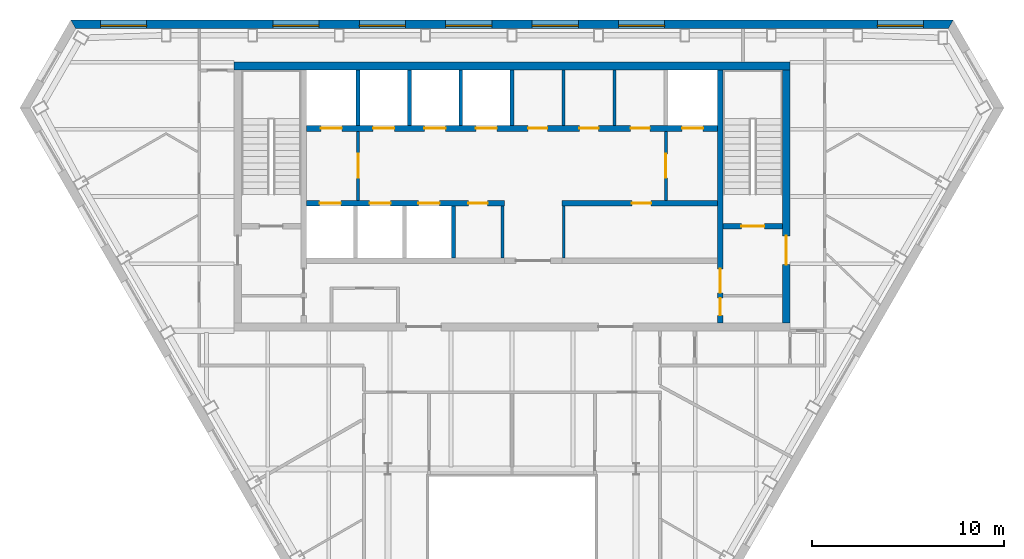
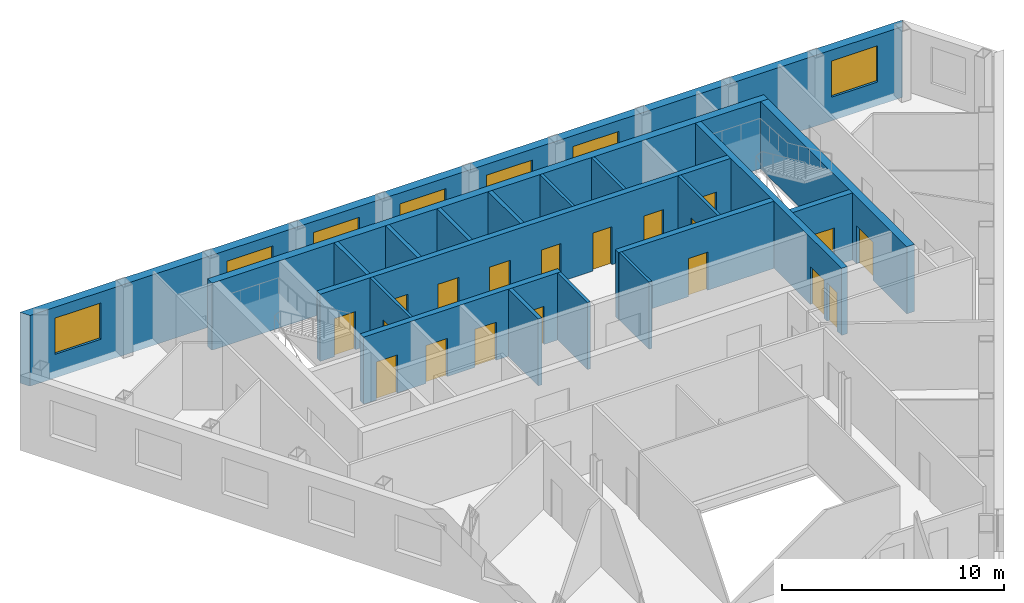
# One storey, part 6 of 10: 19 doors, 19 walls, 7 windows, 26 openings.
"""IFC4 building model written with IfcOpenShell, lengths in metres."""

from ifc_helpers import new_model, si_unit, direction, frame, frame_2d, origin, place, context, subcontext, project, spatial, polyline, rectangle, outline, extrude, material, layer, layer_set, type_object, element, fill, save


model = new_model("IFC4")

# Units and contexts
model_context = context("Model", 3, precision=1e-05, world=origin(), true_north=direction((0.0, 1.0)))
body_context = subcontext(model_context, "Body", "Model", "MODEL_VIEW")
ifc_project = project(units=[si_unit("LENGTHUNIT", "METRE"), si_unit("AREAUNIT", "SQUARE_METRE"), si_unit("VOLUMEUNIT", "CUBIC_METRE"), si_unit("PLANEANGLEUNIT", "RADIAN"), si_unit("MASSUNIT", "GRAM", prefix="KILO")], contexts=[model_context])

# Site, building, storey
site_placement = place(None, origin())
site = spatial("IfcSite", under=ifc_project, at=site_placement, CompositionType="ELEMENT")
building_placement = place(site_placement, origin())
building = spatial("IfcBuilding", under=site, at=building_placement, Name="Njiva Tower", CompositionType="ELEMENT")
storey_placement = place(building_placement, frame((0.0, 0.0, 288.3)))
storey = spatial("IfcBuildingStorey", under=building, at=storey_placement, Name="L66", CompositionType="ELEMENT", Elevation=288.3)

# Walls
ifc_material_1 = material(Name="Blockwork", Category="masonry")
ifc_layer_1 = layer(ifc_material_1, 0.15)
ifc_layer_set_1 = layer_set([ifc_layer_1], Name="Blockwork")
wall_type_1 = type_object("IfcWallType", Name="WT1 Compartment partition 150", PredefinedType="PARTITIONING", material=ifc_layer_set_1)
for number, where, z_axis, x_axis, name in (
    (1, (2.675, 14.7, 0.0), (0.0, 0.0, 1.0), (0.0, 1.0, 0.0), "Partition CN5"),
    (2, (5.35, 14.7, 0.0), (0.0, 0.0, 1.0), (0.0, 1.0, 0.0), "Partition CN6"),
):
    element("IfcWall", number, at=place(storey_placement, frame(where, z_axis=z_axis, x_axis=x_axis)), inside=storey, type_object=wall_type_1, Name=name, PredefinedType="PARTITIONING", context=body_context, shape_type="SweptSolid", body=[
        extrude(rectangle(XDim=2.9, YDim=0.15, at=frame_2d((1.45, 0.0))), origin(), (0.0, 0.0, 1.0), 3.7),
    ])
for number, where, z_axis, x_axis, name in (
    (3, (-0.5, 7.8, 0.0), (0.0, 0.0, 1.0), (0.0, 1.0, 0.0), "Partition CS4"),
    (4, (2.7, 7.8, 0.0), (0.0, 0.0, 1.0), (0.0, 1.0, 0.0), "Partition CS5"),
):
    element("IfcWall", number, at=place(storey_placement, frame(where, z_axis=z_axis, x_axis=x_axis)), inside=storey, type_object=wall_type_1, Name=name, PredefinedType="PARTITIONING", context=body_context, shape_type="SweptSolid", body=[
        extrude(rectangle(XDim=2.7, YDim=0.15, at=frame_2d((1.35, 0.0))), origin(), (0.0, 0.0, 1.0), 3.7),
    ])

# Wall, openings, doors
ifc_material_2 = material(Name="Concrete C40/50", Category="concrete")
ifc_layer_2 = layer(ifc_material_2, 0.3)
ifc_layer_set_2 = layer_set([ifc_layer_2], Name="Concrete C40/50")
wall_type_2 = type_object("IfcWallType", Name="WT10 Stair enclosure wall 300", PredefinedType="SHEAR", material=ifc_layer_set_2)
wall_1_placement = place(storey_placement, frame((10.85, 4.4, 0.0), z_axis=(0.0, 0.0, 1.0), x_axis=(0.0, 1.0, 0.0)))
wall_1 = element("IfcWall", 5, at=wall_1_placement, inside=storey, type_object=wall_type_2, Name="Stair wall east inner", PredefinedType="SHEAR", context=body_context, shape_type="SweptSolid", body=[
    extrude(rectangle(XDim=13.2, YDim=0.3, at=frame_2d((6.6, 0.0))), origin(), (0.0, 0.0, 1.0), 3.7),
])
opening_1_placement = place(wall_1_placement, frame((1.575, 0.0, 0.0)))
opening_1 = element("IfcOpeningElement", 6, at=opening_1_placement, cuts=wall_1, Name="Opening S21-D921", PredefinedType="OPENING", context=body_context, shape_type="SweptSolid", body=[
    extrude(rectangle(XDim=1.25, YDim=2.1, at=frame_2d((0.625, 1.05))), frame((0.0, 0.16, 0.0), z_axis=(0.0, -1.0, 0.0), x_axis=(1.0, 0.0, 0.0)), (0.0, 0.0, 1.0), 0.32),
])
opening_2_placement = place(wall_1_placement, frame((0.4, 0.0, 0.0)))
opening_2 = element("IfcOpeningElement", 7, at=opening_2_placement, cuts=wall_1, Name="Opening S21-D923", PredefinedType="OPENING", context=body_context, shape_type="SweptSolid", body=[
    extrude(rectangle(XDim=0.9, YDim=2.1, at=frame_2d((0.45, 1.05))), frame((0.0, 0.16, 0.0), z_axis=(0.0, -1.0, 0.0), x_axis=(1.0, 0.0, 0.0)), (0.0, 0.0, 1.0), 0.32),
])
ifc_material_3 = material(Name="Steel door, painted", Category="steel")
door_type_1 = type_object("IfcDoorType", Name="D13 Steel door 900x2100", OperationType="SINGLE_SWING_LEFT", PredefinedType="DOOR", material=ifc_material_3)
door_1_placement = place(opening_2_placement, origin())
door_1 = element("IfcDoor", 8, at=door_1_placement, inside=storey, type_object=door_type_1, Name="First aid room door", OperationType="SINGLE_SWING_LEFT", OverallHeight=2.1, OverallWidth=0.9, PredefinedType="DOOR", context=body_context, shape_type="SweptSolid", body=[
    extrude(rectangle(XDim=0.9, YDim=2.1, at=frame_2d((0.45, 1.05))), frame((0.0, 0.025, 0.0), z_axis=(0.0, -1.0, 0.0), x_axis=(1.0, 0.0, 0.0)), (0.0, 0.0, 1.0), 0.05),
])
fill(opening_2, door_1)
ifc_material_4 = material(Name="Glazed steel fire door", Category="steel")
door_type_2 = type_object("IfcDoorType", Name="D8 Vestibule corridor door 1250x2100 glazed", OperationType="SINGLE_SWING_LEFT", PredefinedType="DOOR", material=ifc_material_4)
door_2_placement = place(opening_1_placement, origin())
door_2 = element("IfcDoor", 9, at=door_2_placement, inside=storey, type_object=door_type_2, Name="Stair vestibule corridor door", OperationType="SINGLE_SWING_RIGHT", OverallHeight=2.1, OverallWidth=1.25, PredefinedType="DOOR", context=body_context, shape_type="SweptSolid", body=[
    extrude(rectangle(XDim=1.25, YDim=2.1, at=frame_2d((0.625, 1.05))), frame((0.0, 0.025, 0.0), z_axis=(0.0, -1.0, 0.0), x_axis=(1.0, 0.0, 0.0)), (0.0, 0.0, 1.0), 0.05),
])
fill(opening_1, door_2)

# Wall, opening, door
wall_2_placement = place(storey_placement, frame((11.0, 9.45, 0.0), z_axis=(0.0, 0.0, 1.0), x_axis=(1.0, 0.0, 0.0)))
wall_2 = element("IfcWall", 10, at=wall_2_placement, inside=storey, type_object=wall_type_2, Name="Stair B south wall", PredefinedType="SHEAR", context=body_context, shape_type="SweptSolid", body=[
    extrude(rectangle(XDim=3.1, YDim=0.3, at=frame_2d((1.55, 0.0))), origin(), (0.0, 0.0, 1.0), 3.7),
])
opening_3_placement = place(wall_2_placement, frame((0.95, 0.0, 0.0)))
opening_3 = element("IfcOpeningElement", 11, at=opening_3_placement, cuts=wall_2, Name="Opening S21-D920", PredefinedType="OPENING", context=body_context, shape_type="SweptSolid", body=[
    extrude(rectangle(XDim=1.2, YDim=2.1, at=frame_2d((0.6, 1.05))), frame((0.0, 0.16, 0.0), z_axis=(0.0, -1.0, 0.0), x_axis=(1.0, 0.0, 0.0)), (0.0, 0.0, 1.0), 0.32),
])
door_type_3 = type_object("IfcDoorType", Name="D7 Stair vestibule door 1200x2100 glazed", OperationType="SINGLE_SWING_LEFT", PredefinedType="DOOR", material=ifc_material_4)
door_3_placement = place(opening_3_placement, origin())
door_3 = element("IfcDoor", 12, at=door_3_placement, inside=storey, type_object=door_type_3, Name="Stair B door", OperationType="SINGLE_SWING_LEFT", OverallHeight=2.1, OverallWidth=1.2, PredefinedType="DOOR", context=body_context, shape_type="SweptSolid", body=[
    extrude(rectangle(XDim=1.2, YDim=2.1, at=frame_2d((0.6, 1.05))), frame((0.0, 0.025, 0.0), z_axis=(0.0, -1.0, 0.0), x_axis=(1.0, 0.0, 0.0)), (0.0, 0.0, 1.0), 0.05),
])
fill(opening_3, door_3)

# Wall
ifc_material_5 = material(Name="Concrete C60/75", Category="concrete")
ifc_layer_3 = layer(ifc_material_5, 0.4)
ifc_layer_set_3 = layer_set([ifc_layer_3], Name="Concrete C60/75")
wall_type_3 = type_object("IfcWallType", Name="WT11 Core wall 400", PredefinedType="SHEAR", material=ifc_layer_set_3)
wall_3_placement = place(storey_placement, frame((-14.5, 17.8, 0.0), z_axis=(0.0, 0.0, 1.0), x_axis=(1.0, 0.0, 0.0)))
element("IfcWall", 13, at=wall_3_placement, inside=storey, type_object=wall_type_3, Name="Core wall north", PredefinedType="SHEAR", context=body_context, shape_type="SweptSolid", body=[
    extrude(rectangle(XDim=29.0, YDim=0.4, at=frame_2d((14.5, 0.0))), origin(), (0.0, 0.0, 1.0), 3.7),
])

# Wall, opening, door
wall_4_placement = place(storey_placement, frame((14.3, 4.4, 0.0), z_axis=(0.0, 0.0, 1.0), x_axis=(0.0, 1.0, 0.0)))
wall_4 = element("IfcWall", 14, at=wall_4_placement, inside=storey, type_object=wall_type_3, Name="Core wall east", PredefinedType="SHEAR", context=body_context, shape_type="SweptSolid", body=[
    extrude(rectangle(XDim=13.2, YDim=0.4, at=frame_2d((6.6, 0.0))), origin(), (0.0, 0.0, 1.0), 3.7),
])
opening_4_placement = place(wall_4_placement, frame((3.05, 0.0, 0.0)))
opening_4 = element("IfcOpeningElement", 15, at=opening_4_placement, cuts=wall_4, Name="Opening S21-D922", PredefinedType="OPENING", context=body_context, shape_type="SweptSolid", body=[
    extrude(rectangle(XDim=1.5, YDim=2.1, at=frame_2d((0.75, 1.05))), frame((0.0, 0.21, 0.0), z_axis=(0.0, -1.0, 0.0), x_axis=(1.0, 0.0, 0.0)), (0.0, 0.0, 1.0), 0.42),
])
door_type_4 = type_object("IfcDoorType", Name="D10 Exit door double 1500x2100 glazed", OperationType="DOUBLE_DOOR_SINGLE_SWING", PredefinedType="DOOR", material=ifc_material_4)
door_4_placement = place(opening_4_placement, origin())
door_4 = element("IfcDoor", 16, at=door_4_placement, inside=storey, type_object=door_type_4, Name="Stair B corridor door", OperationType="DOUBLE_DOOR_SINGLE_SWING", OverallHeight=2.1, OverallWidth=1.5, PredefinedType="DOOR", context=body_context, shape_type="SweptSolid", body=[
    extrude(rectangle(XDim=1.5, YDim=2.1, at=frame_2d((0.75, 1.05))), frame((0.0, 0.025, 0.0), z_axis=(0.0, -1.0, 0.0), x_axis=(1.0, 0.0, 0.0)), (0.0, 0.0, 1.0), 0.05),
])
fill(opening_4, door_4)

ifc_layer_4 = layer(ifc_material_1, 0.15)
ifc_layer_set_4 = layer_set([ifc_layer_4], Name="Blockwork")
wall_type_4 = type_object("IfcWallType", Name="WT2 Lobby partition 150", PredefinedType="PARTITIONING", material=ifc_layer_set_4)
wall_5_placement = place(storey_placement, frame((-8.025, 10.8, 0.0), z_axis=(0.0, 0.0, 1.0), x_axis=(0.0, 1.0, 0.0)))
wall_5 = element("IfcWall", 17, at=wall_5_placement, inside=storey, type_object=wall_type_4, Name="Firefighting lobby wall A", PredefinedType="PARTITIONING", context=body_context, shape_type="SweptSolid", body=[
    extrude(rectangle(XDim=3.6, YDim=0.15, at=frame_2d((1.8, 0.0))), origin(), (0.0, 0.0, 1.0), 3.7),
])
opening_5_placement = place(wall_5_placement, frame((1.175, 0.0, 0.0)))
opening_5 = element("IfcOpeningElement", 18, at=opening_5_placement, cuts=wall_5, Name="Opening S21-D914", PredefinedType="OPENING", context=body_context, shape_type="SweptSolid", body=[
    extrude(rectangle(XDim=1.25, YDim=2.1, at=frame_2d((0.625, 1.05))), frame((0.0, 0.085, 0.0), z_axis=(0.0, -1.0, 0.0), x_axis=(1.0, 0.0, 0.0)), (0.0, 0.0, 1.0), 0.17),
])
door_5_placement = place(opening_5_placement, origin())
door_5 = element("IfcDoor", 19, at=door_5_placement, inside=storey, type_object=door_type_2, Name="Stair vestibule corridor door", OperationType="SINGLE_SWING_RIGHT", OverallHeight=2.1, OverallWidth=1.25, PredefinedType="DOOR", context=body_context, shape_type="SweptSolid", body=[
    extrude(rectangle(XDim=1.25, YDim=2.1, at=frame_2d((0.625, 1.05))), frame((0.0, 0.025, 0.0), z_axis=(0.0, -1.0, 0.0), x_axis=(1.0, 0.0, 0.0)), (0.0, 0.0, 1.0), 0.05),
])
fill(opening_5, door_5)

wall_6_placement = place(storey_placement, frame((8.025, 10.8, 0.0), z_axis=(0.0, 0.0, 1.0), x_axis=(0.0, 1.0, 0.0)))
wall_6 = element("IfcWall", 20, at=wall_6_placement, inside=storey, type_object=wall_type_4, Name="Firefighting lobby wall B", PredefinedType="PARTITIONING", context=body_context, shape_type="SweptSolid", body=[
    extrude(rectangle(XDim=3.6, YDim=0.15, at=frame_2d((1.8, 0.0))), origin(), (0.0, 0.0, 1.0), 3.7),
])
opening_6_placement = place(wall_6_placement, frame((1.175, 0.0, 0.0)))
opening_6 = element("IfcOpeningElement", 21, at=opening_6_placement, cuts=wall_6, Name="Opening S21-D919", PredefinedType="OPENING", context=body_context, shape_type="SweptSolid", body=[
    extrude(rectangle(XDim=1.25, YDim=2.1, at=frame_2d((0.625, 1.05))), frame((0.0, 0.085, 0.0), z_axis=(0.0, -1.0, 0.0), x_axis=(1.0, 0.0, 0.0)), (0.0, 0.0, 1.0), 0.17),
])
door_6_placement = place(opening_6_placement, origin())
door_6 = element("IfcDoor", 22, at=door_6_placement, inside=storey, type_object=door_type_2, Name="Stair vestibule corridor door", OperationType="SINGLE_SWING_LEFT", OverallHeight=2.1, OverallWidth=1.25, PredefinedType="DOOR", context=body_context, shape_type="SweptSolid", body=[
    extrude(rectangle(XDim=1.25, YDim=2.1, at=frame_2d((0.625, 1.05))), frame((0.0, 0.025, 0.0), z_axis=(0.0, -1.0, 0.0), x_axis=(1.0, 0.0, 0.0)), (0.0, 0.0, 1.0), 0.05),
])
fill(opening_6, door_6)

# Walls
ifc_layer_5 = layer(ifc_material_2, 0.2)
ifc_layer_set_5 = layer_set([ifc_layer_5], Name="Concrete C40/50")
wall_type_5 = type_object("IfcWallType", Name="WT6 Lift shaft wall 200", PredefinedType="SHEAR", material=ifc_layer_set_5)
for number, where, z_axis, x_axis, name in (
    (23, (-8.025, 14.7, 0.0), (0.0, 0.0, 1.0), (0.0, 1.0, 0.0), "Shaft wall CN1"),
    (24, (-5.35, 14.7, 0.0), (0.0, 0.0, 1.0), (0.0, 1.0, 0.0), "Shaft wall CN2"),
    (25, (-2.675, 14.7, 0.0), (0.0, 0.0, 1.0), (0.0, 1.0, 0.0), "Shaft wall CN3"),
    (26, (0.0, 14.7, 0.0), (0.0, 0.0, 1.0), (0.0, 1.0, 0.0), "Shaft wall CN4"),
):
    element("IfcWall", number, at=place(storey_placement, frame(where, z_axis=z_axis, x_axis=x_axis)), inside=storey, type_object=wall_type_5, Name=name, PredefinedType="SHEAR", context=body_context, shape_type="SweptSolid", body=[
        extrude(rectangle(XDim=2.9, YDim=0.2, at=frame_2d((1.45, 0.0))), origin(), (0.0, 0.0, 1.0), 3.7),
    ])
wall_7_placement = place(storey_placement, frame((-3.05, 7.8, 0.0), z_axis=(0.0, 0.0, 1.0), x_axis=(0.0, 1.0, 0.0)))
element("IfcWall", 27, at=wall_7_placement, inside=storey, type_object=wall_type_5, Name="Shaft wall CS3", PredefinedType="SHEAR", context=body_context, shape_type="SweptSolid", body=[
    extrude(rectangle(XDim=2.7, YDim=0.2, at=frame_2d((1.35, 0.0))), origin(), (0.0, 0.0, 1.0), 3.7),
])

# Wall, openings, doors
ifc_layer_6 = layer(ifc_material_2, 0.3)
ifc_layer_set_6 = layer_set([ifc_layer_6], Name="Concrete C40/50")
wall_type_6 = type_object("IfcWallType", Name="WT7 Lift shaft wall 300", PredefinedType="SHEAR", material=ifc_layer_set_6)
wall_8_placement = place(storey_placement, frame((-10.7, 14.55, 0.0), z_axis=(0.0, 0.0, 1.0), x_axis=(1.0, 0.0, 0.0)))
wall_8 = element("IfcWall", 28, at=wall_8_placement, inside=storey, type_object=wall_type_6, Name="Shaft wall north row lobby side", PredefinedType="SHEAR", context=body_context, shape_type="SweptSolid", body=[
    extrude(rectangle(XDim=21.4, YDim=0.3, at=frame_2d((10.7, 0.0))), origin(), (0.0, 0.0, 1.0), 3.7),
])
opening_7_placement = place(wall_8_placement, frame((0.7375, 0.0, 0.0)))
opening_7 = element("IfcOpeningElement", 29, at=opening_7_placement, cuts=wall_8, Name="Opening S21-D901", PredefinedType="OPENING", context=body_context, shape_type="SweptSolid", body=[
    extrude(rectangle(XDim=1.1, YDim=2.1, at=frame_2d((0.55, 1.05))), frame((0.0, 0.16, 0.0), z_axis=(0.0, -1.0, 0.0), x_axis=(1.0, 0.0, 0.0)), (0.0, 0.0, 1.0), 0.32),
])
opening_8_placement = place(wall_8_placement, frame((3.4625, 0.0, 0.0)))
opening_8 = element("IfcOpeningElement", 30, at=opening_8_placement, cuts=wall_8, Name="Opening S21-D902", PredefinedType="OPENING", context=body_context, shape_type="SweptSolid", body=[
    extrude(rectangle(XDim=1.1, YDim=2.1, at=frame_2d((0.55, 1.05))), frame((0.0, 0.16, 0.0), z_axis=(0.0, -1.0, 0.0), x_axis=(1.0, 0.0, 0.0)), (0.0, 0.0, 1.0), 0.32),
])
opening_9_placement = place(wall_8_placement, frame((6.1375, 0.0, 0.0)))
opening_9 = element("IfcOpeningElement", 31, at=opening_9_placement, cuts=wall_8, Name="Opening S21-D903", PredefinedType="OPENING", context=body_context, shape_type="SweptSolid", body=[
    extrude(rectangle(XDim=1.1, YDim=2.1, at=frame_2d((0.55, 1.05))), frame((0.0, 0.16, 0.0), z_axis=(0.0, -1.0, 0.0), x_axis=(1.0, 0.0, 0.0)), (0.0, 0.0, 1.0), 0.32),
])
opening_10_placement = place(wall_8_placement, frame((8.8125, 0.0, 0.0)))
opening_10 = element("IfcOpeningElement", 32, at=opening_10_placement, cuts=wall_8, Name="Opening S21-D904", PredefinedType="OPENING", context=body_context, shape_type="SweptSolid", body=[
    extrude(rectangle(XDim=1.1, YDim=2.1, at=frame_2d((0.55, 1.05))), frame((0.0, 0.16, 0.0), z_axis=(0.0, -1.0, 0.0), x_axis=(1.0, 0.0, 0.0)), (0.0, 0.0, 1.0), 0.32),
])
opening_11_placement = place(wall_8_placement, frame((19.5625, 0.0, 0.0)))
opening_11 = element("IfcOpeningElement", 33, at=opening_11_placement, cuts=wall_8, Name="Opening S21-D905", PredefinedType="OPENING", context=body_context, shape_type="SweptSolid", body=[
    extrude(rectangle(XDim=1.1, YDim=2.1, at=frame_2d((0.55, 1.05))), frame((0.0, 0.16, 0.0), z_axis=(0.0, -1.0, 0.0), x_axis=(1.0, 0.0, 0.0)), (0.0, 0.0, 1.0), 0.32),
])
opening_12_placement = place(wall_8_placement, frame((11.5375, 0.0, 0.0)))
opening_12 = element("IfcOpeningElement", 34, at=opening_12_placement, cuts=wall_8, Name="Opening S21-D909", PredefinedType="OPENING", context=body_context, shape_type="SweptSolid", body=[
    extrude(rectangle(XDim=1.0, YDim=2.1, at=frame_2d((0.5, 1.05))), frame((0.0, 0.16, 0.0), z_axis=(0.0, -1.0, 0.0), x_axis=(1.0, 0.0, 0.0)), (0.0, 0.0, 1.0), 0.32),
])
opening_13_placement = place(wall_8_placement, frame((14.2125, 0.0, 0.0)))
opening_13 = element("IfcOpeningElement", 35, at=opening_13_placement, cuts=wall_8, Name="Opening S21-D910", PredefinedType="OPENING", context=body_context, shape_type="SweptSolid", body=[
    extrude(rectangle(XDim=1.0, YDim=2.1, at=frame_2d((0.5, 1.05))), frame((0.0, 0.16, 0.0), z_axis=(0.0, -1.0, 0.0), x_axis=(1.0, 0.0, 0.0)), (0.0, 0.0, 1.0), 0.32),
])
opening_14_placement = place(wall_8_placement, frame((16.8875, 0.0, 0.0)))
opening_14 = element("IfcOpeningElement", 36, at=opening_14_placement, cuts=wall_8, Name="Opening S21-D911", PredefinedType="OPENING", context=body_context, shape_type="SweptSolid", body=[
    extrude(rectangle(XDim=1.0, YDim=2.1, at=frame_2d((0.5, 1.05))), frame((0.0, 0.16, 0.0), z_axis=(0.0, -1.0, 0.0), x_axis=(1.0, 0.0, 0.0)), (0.0, 0.0, 1.0), 0.32),
])
door_type_5 = type_object("IfcDoorType", Name="D5 Steel door 1000x2100", OperationType="SINGLE_SWING_LEFT", PredefinedType="DOOR", material=ifc_material_3)
door_7_placement = place(opening_12_placement, origin())
door_7 = element("IfcDoor", 37, at=door_7_placement, inside=storey, type_object=door_type_5, Name="First aid room door", OperationType="SINGLE_SWING_LEFT", OverallHeight=2.1, OverallWidth=1.0, PredefinedType="DOOR", context=body_context, shape_type="SweptSolid", body=[
    extrude(rectangle(XDim=1.0, YDim=2.1, at=frame_2d((0.5, 1.05))), frame((0.0, 0.025, 0.0), z_axis=(0.0, -1.0, 0.0), x_axis=(1.0, 0.0, 0.0)), (0.0, 0.0, 1.0), 0.05),
])
fill(opening_12, door_7)
door_8_placement = place(opening_13_placement, origin())
door_8 = element("IfcDoor", 38, at=door_8_placement, inside=storey, type_object=door_type_5, Name="Breakout room door", OperationType="SINGLE_SWING_LEFT", OverallHeight=2.1, OverallWidth=1.0, PredefinedType="DOOR", context=body_context, shape_type="SweptSolid", body=[
    extrude(rectangle(XDim=1.0, YDim=2.1, at=frame_2d((0.5, 1.05))), frame((0.0, 0.025, 0.0), z_axis=(0.0, -1.0, 0.0), x_axis=(1.0, 0.0, 0.0)), (0.0, 0.0, 1.0), 0.05),
])
fill(opening_13, door_8)
door_9_placement = place(opening_14_placement, origin())
door_9 = element("IfcDoor", 39, at=door_9_placement, inside=storey, type_object=door_type_5, Name="Reading room door", OperationType="SINGLE_SWING_LEFT", OverallHeight=2.1, OverallWidth=1.0, PredefinedType="DOOR", context=body_context, shape_type="SweptSolid", body=[
    extrude(rectangle(XDim=1.0, YDim=2.1, at=frame_2d((0.5, 1.05))), frame((0.0, 0.025, 0.0), z_axis=(0.0, -1.0, 0.0), x_axis=(1.0, 0.0, 0.0)), (0.0, 0.0, 1.0), 0.05),
])
fill(opening_14, door_9)
ifc_material_6 = material(Name="Stainless steel sliding door", Category="steel")
door_type_6 = type_object("IfcDoorType", Name="LD Lift landing door 1100x2100", OperationType="SLIDING_TO_LEFT", PredefinedType="DOOR", material=ifc_material_6)
door_10_placement = place(opening_7_placement, origin())
door_10 = element("IfcDoor", 40, at=door_10_placement, inside=storey, type_object=door_type_6, Name="Lift landing door FF1", OperationType="SLIDING_TO_LEFT", OverallHeight=2.1, OverallWidth=1.1, PredefinedType="DOOR", context=body_context, shape_type="SweptSolid", body=[
    extrude(rectangle(XDim=1.1, YDim=2.1, at=frame_2d((0.55, 1.05))), frame((0.0, 0.025, 0.0), z_axis=(0.0, -1.0, 0.0), x_axis=(1.0, 0.0, 0.0)), (0.0, 0.0, 1.0), 0.05),
])
fill(opening_7, door_10)
door_11_placement = place(opening_8_placement, origin())
door_11 = element("IfcDoor", 41, at=door_11_placement, inside=storey, type_object=door_type_6, Name="Lift landing door HB4", OperationType="SLIDING_TO_LEFT", OverallHeight=2.1, OverallWidth=1.1, PredefinedType="DOOR", context=body_context, shape_type="SweptSolid", body=[
    extrude(rectangle(XDim=1.1, YDim=2.1, at=frame_2d((0.55, 1.05))), frame((0.0, 0.025, 0.0), z_axis=(0.0, -1.0, 0.0), x_axis=(1.0, 0.0, 0.0)), (0.0, 0.0, 1.0), 0.05),
])
fill(opening_8, door_11)
door_12_placement = place(opening_9_placement, origin())
door_12 = element("IfcDoor", 42, at=door_12_placement, inside=storey, type_object=door_type_6, Name="Lift landing door HB5", OperationType="SLIDING_TO_LEFT", OverallHeight=2.1, OverallWidth=1.1, PredefinedType="DOOR", context=body_context, shape_type="SweptSolid", body=[
    extrude(rectangle(XDim=1.1, YDim=2.1, at=frame_2d((0.55, 1.05))), frame((0.0, 0.025, 0.0), z_axis=(0.0, -1.0, 0.0), x_axis=(1.0, 0.0, 0.0)), (0.0, 0.0, 1.0), 0.05),
])
fill(opening_9, door_12)
door_13_placement = place(opening_10_placement, origin())
door_13 = element("IfcDoor", 43, at=door_13_placement, inside=storey, type_object=door_type_6, Name="Lift landing door HB6", OperationType="SLIDING_TO_LEFT", OverallHeight=2.1, OverallWidth=1.1, PredefinedType="DOOR", context=body_context, shape_type="SweptSolid", body=[
    extrude(rectangle(XDim=1.1, YDim=2.1, at=frame_2d((0.55, 1.05))), frame((0.0, 0.025, 0.0), z_axis=(0.0, -1.0, 0.0), x_axis=(1.0, 0.0, 0.0)), (0.0, 0.0, 1.0), 0.05),
])
fill(opening_10, door_13)
door_14_placement = place(opening_11_placement, origin())
door_14 = element("IfcDoor", 44, at=door_14_placement, inside=storey, type_object=door_type_6, Name="Lift landing door FF2", OperationType="SLIDING_TO_LEFT", OverallHeight=2.1, OverallWidth=1.1, PredefinedType="DOOR", context=body_context, shape_type="SweptSolid", body=[
    extrude(rectangle(XDim=1.1, YDim=2.1, at=frame_2d((0.55, 1.05))), frame((0.0, 0.025, 0.0), z_axis=(0.0, -1.0, 0.0), x_axis=(1.0, 0.0, 0.0)), (0.0, 0.0, 1.0), 0.05),
])
fill(opening_11, door_14)

wall_9_placement = place(storey_placement, frame((-10.7, 10.65, 0.0), z_axis=(0.0, 0.0, 1.0), x_axis=(1.0, 0.0, 0.0)))
wall_9 = element("IfcWall", 45, at=wall_9_placement, inside=storey, type_object=wall_type_6, Name="Shaft wall south row lobby side W", PredefinedType="SHEAR", context=body_context, shape_type="SweptSolid", body=[
    extrude(rectangle(XDim=10.3, YDim=0.3, at=frame_2d((5.15, 0.0))), origin(), (0.0, 0.0, 1.0), 3.7),
])
opening_15_placement = place(wall_9_placement, frame((0.675, 0.0, 0.0)))
opening_15 = element("IfcOpeningElement", 46, at=opening_15_placement, cuts=wall_9, Name="Opening S21-D906", PredefinedType="OPENING", context=body_context, shape_type="SweptSolid", body=[
    extrude(rectangle(XDim=1.1, YDim=2.1, at=frame_2d((0.55, 1.05))), frame((0.0, 0.16, 0.0), z_axis=(0.0, -1.0, 0.0), x_axis=(1.0, 0.0, 0.0)), (0.0, 0.0, 1.0), 0.32),
])
opening_16_placement = place(wall_9_placement, frame((3.275, 0.0, 0.0)))
opening_16 = element("IfcOpeningElement", 47, at=opening_16_placement, cuts=wall_9, Name="Opening S21-D907", PredefinedType="OPENING", context=body_context, shape_type="SweptSolid", body=[
    extrude(rectangle(XDim=1.1, YDim=2.1, at=frame_2d((0.55, 1.05))), frame((0.0, 0.16, 0.0), z_axis=(0.0, -1.0, 0.0), x_axis=(1.0, 0.0, 0.0)), (0.0, 0.0, 1.0), 0.32),
])
opening_17_placement = place(wall_9_placement, frame((5.825, 0.0, 0.0)))
opening_17 = element("IfcOpeningElement", 48, at=opening_17_placement, cuts=wall_9, Name="Opening S21-D908", PredefinedType="OPENING", context=body_context, shape_type="SweptSolid", body=[
    extrude(rectangle(XDim=1.1, YDim=2.1, at=frame_2d((0.55, 1.05))), frame((0.0, 0.16, 0.0), z_axis=(0.0, -1.0, 0.0), x_axis=(1.0, 0.0, 0.0)), (0.0, 0.0, 1.0), 0.32),
])
opening_18_placement = place(wall_9_placement, frame((8.425, 0.0, 0.0)))
opening_18 = element("IfcOpeningElement", 49, at=opening_18_placement, cuts=wall_9, Name="Opening S21-D912", PredefinedType="OPENING", context=body_context, shape_type="SweptSolid", body=[
    extrude(rectangle(XDim=1.0, YDim=2.1, at=frame_2d((0.5, 1.05))), frame((0.0, 0.16, 0.0), z_axis=(0.0, -1.0, 0.0), x_axis=(1.0, 0.0, 0.0)), (0.0, 0.0, 1.0), 0.32),
])
door_15_placement = place(opening_18_placement, origin())
door_15 = element("IfcDoor", 50, at=door_15_placement, inside=storey, type_object=door_type_5, Name="Quiet room door", OperationType="SINGLE_SWING_RIGHT", OverallHeight=2.1, OverallWidth=1.0, PredefinedType="DOOR", context=body_context, shape_type="SweptSolid", body=[
    extrude(rectangle(XDim=1.0, YDim=2.1, at=frame_2d((0.5, 1.05))), frame((0.0, 0.025, 0.0), z_axis=(0.0, -1.0, 0.0), x_axis=(1.0, 0.0, 0.0)), (0.0, 0.0, 1.0), 0.05),
])
fill(opening_18, door_15)
door_16_placement = place(opening_15_placement, origin())
door_16 = element("IfcDoor", 51, at=door_16_placement, inside=storey, type_object=door_type_6, Name="Lift landing door HB1", OperationType="SLIDING_TO_LEFT", OverallHeight=2.1, OverallWidth=1.1, PredefinedType="DOOR", context=body_context, shape_type="SweptSolid", body=[
    extrude(rectangle(XDim=1.1, YDim=2.1, at=frame_2d((0.55, 1.05))), frame((0.0, 0.025, 0.0), z_axis=(0.0, -1.0, 0.0), x_axis=(1.0, 0.0, 0.0)), (0.0, 0.0, 1.0), 0.05),
])
fill(opening_15, door_16)
door_17_placement = place(opening_16_placement, origin())
door_17 = element("IfcDoor", 52, at=door_17_placement, inside=storey, type_object=door_type_6, Name="Lift landing door HB2", OperationType="SLIDING_TO_LEFT", OverallHeight=2.1, OverallWidth=1.1, PredefinedType="DOOR", context=body_context, shape_type="SweptSolid", body=[
    extrude(rectangle(XDim=1.1, YDim=2.1, at=frame_2d((0.55, 1.05))), frame((0.0, 0.025, 0.0), z_axis=(0.0, -1.0, 0.0), x_axis=(1.0, 0.0, 0.0)), (0.0, 0.0, 1.0), 0.05),
])
fill(opening_16, door_17)
door_18_placement = place(opening_17_placement, origin())
door_18 = element("IfcDoor", 53, at=door_18_placement, inside=storey, type_object=door_type_6, Name="Lift landing door HB3", OperationType="SLIDING_TO_LEFT", OverallHeight=2.1, OverallWidth=1.1, PredefinedType="DOOR", context=body_context, shape_type="SweptSolid", body=[
    extrude(rectangle(XDim=1.1, YDim=2.1, at=frame_2d((0.55, 1.05))), frame((0.0, 0.025, 0.0), z_axis=(0.0, -1.0, 0.0), x_axis=(1.0, 0.0, 0.0)), (0.0, 0.0, 1.0), 0.05),
])
fill(opening_17, door_18)

# Wall, opening, door
wall_10_placement = place(storey_placement, frame((2.6, 10.65, 0.0), z_axis=(0.0, 0.0, 1.0), x_axis=(1.0, 0.0, 0.0)))
wall_10 = element("IfcWall", 54, at=wall_10_placement, inside=storey, type_object=wall_type_6, Name="Shaft wall south row lobby side E", PredefinedType="SHEAR", context=body_context, shape_type="SweptSolid", body=[
    extrude(rectangle(XDim=8.1, YDim=0.3, at=frame_2d((4.05, 0.0))), origin(), (0.0, 0.0, 1.0), 3.7),
])
opening_19_placement = place(wall_10_placement, frame((3.65, 0.0, 0.0)))
opening_19 = element("IfcOpeningElement", 55, at=opening_19_placement, cuts=wall_10, Name="Opening S21-D913", PredefinedType="OPENING", context=body_context, shape_type="SweptSolid", body=[
    extrude(rectangle(XDim=1.0, YDim=2.1, at=frame_2d((0.5, 1.05))), frame((0.0, 0.16, 0.0), z_axis=(0.0, -1.0, 0.0), x_axis=(1.0, 0.0, 0.0)), (0.0, 0.0, 1.0), 0.32),
])
door_19_placement = place(opening_19_placement, origin())
door_19 = element("IfcDoor", 56, at=door_19_placement, inside=storey, type_object=door_type_5, Name="Cleaner's store door", OperationType="SINGLE_SWING_RIGHT", OverallHeight=2.1, OverallWidth=1.0, PredefinedType="DOOR", context=body_context, shape_type="SweptSolid", body=[
    extrude(rectangle(XDim=1.0, YDim=2.1, at=frame_2d((0.5, 1.05))), frame((0.0, 0.025, 0.0), z_axis=(0.0, -1.0, 0.0), x_axis=(1.0, 0.0, 0.0)), (0.0, 0.0, 1.0), 0.05),
])
fill(opening_19, door_19)

# Wall, openings, windows
ifc_material_7 = material(Name="Brick masonry", Category="masonry")
ifc_layer_7 = layer(ifc_material_7, 0.45)
ifc_layer_set_7 = layer_set([ifc_layer_7], Name="Brick masonry")
wall_type_7 = type_object("IfcWallType", Name="WT90 Brick pier and spandrel wall 450", PredefinedType="SOLIDWALL", material=ifc_layer_set_7)
wall_11_placement = place(storey_placement, frame((22.8701, 19.975, -0.4), z_axis=(0.0, 0.0, 1.0), x_axis=(-1.0, 0.0, 0.0)))
wall_11 = element("IfcWall", 57, at=wall_11_placement, inside=storey, type_object=wall_type_7, Name="Facade wall N", PredefinedType="SOLIDWALL", context=body_context, shape_type="SweptSolid", body=[
    extrude(outline(polyline([(-0.1299, -0.225), (45.8701, -0.225), (45.6103, 0.225), (0.1299, 0.225), (-0.1299, -0.225)])), origin(), (0.0, 0.0, 1.0), 3.9),
])
opening_20_placement = place(wall_11_placement, frame((1.4242, 0.0, 1.3)))
opening_20 = element("IfcOpeningElement", 58, at=opening_20_placement, cuts=wall_11, Name="Opening S21-W01", PredefinedType="OPENING", context=body_context, shape_type="SweptSolid", body=[
    extrude(rectangle(XDim=2.4, YDim=2.0, at=frame_2d((1.2, 1.0))), frame((0.0, 0.235, 0.0), z_axis=(0.0, -1.0, 0.0), x_axis=(1.0, 0.0, 0.0)), (0.0, 0.0, 1.0), 0.47),
])
opening_21_placement = place(wall_11_placement, frame((14.9087, 0.0, 1.3)))
opening_21 = element("IfcOpeningElement", 59, at=opening_21_placement, cuts=wall_11, Name="Opening S21-W02", PredefinedType="OPENING", context=body_context, shape_type="SweptSolid", body=[
    extrude(rectangle(XDim=2.4, YDim=2.0, at=frame_2d((1.2, 1.0))), frame((0.0, 0.235, 0.0), z_axis=(0.0, -1.0, 0.0), x_axis=(1.0, 0.0, 0.0)), (0.0, 0.0, 1.0), 0.47),
])
opening_22_placement = place(wall_11_placement, frame((19.4163, 0.0, 1.3)))
opening_22 = element("IfcOpeningElement", 60, at=opening_22_placement, cuts=wall_11, Name="Opening S21-W03", PredefinedType="OPENING", context=body_context, shape_type="SweptSolid", body=[
    extrude(rectangle(XDim=2.4, YDim=2.0, at=frame_2d((1.2, 1.0))), frame((0.0, 0.235, 0.0), z_axis=(0.0, -1.0, 0.0), x_axis=(1.0, 0.0, 0.0)), (0.0, 0.0, 1.0), 0.47),
])
opening_23_placement = place(wall_11_placement, frame((23.9239, 0.0, 1.3)))
opening_23 = element("IfcOpeningElement", 61, at=opening_23_placement, cuts=wall_11, Name="Opening S21-W04", PredefinedType="OPENING", context=body_context, shape_type="SweptSolid", body=[
    extrude(rectangle(XDim=2.4, YDim=2.0, at=frame_2d((1.2, 1.0))), frame((0.0, 0.235, 0.0), z_axis=(0.0, -1.0, 0.0), x_axis=(1.0, 0.0, 0.0)), (0.0, 0.0, 1.0), 0.47),
])
opening_24_placement = place(wall_11_placement, frame((28.4315, 0.0, 1.3)))
opening_24 = element("IfcOpeningElement", 62, at=opening_24_placement, cuts=wall_11, Name="Opening S21-W05", PredefinedType="OPENING", context=body_context, shape_type="SweptSolid", body=[
    extrude(rectangle(XDim=2.4, YDim=2.0, at=frame_2d((1.2, 1.0))), frame((0.0, 0.235, 0.0), z_axis=(0.0, -1.0, 0.0), x_axis=(1.0, 0.0, 0.0)), (0.0, 0.0, 1.0), 0.47),
])
opening_25_placement = place(wall_11_placement, frame((32.9391, 0.0, 1.3)))
opening_25 = element("IfcOpeningElement", 63, at=opening_25_placement, cuts=wall_11, Name="Opening S21-W06", PredefinedType="OPENING", context=body_context, shape_type="SweptSolid", body=[
    extrude(rectangle(XDim=2.4, YDim=2.0, at=frame_2d((1.2, 1.0))), frame((0.0, 0.235, 0.0), z_axis=(0.0, -1.0, 0.0), x_axis=(1.0, 0.0, 0.0)), (0.0, 0.0, 1.0), 0.47),
])
opening_26_placement = place(wall_11_placement, frame((41.916, 0.0, 1.3)))
opening_26 = element("IfcOpeningElement", 64, at=opening_26_placement, cuts=wall_11, Name="Opening S21-W07", PredefinedType="OPENING", context=body_context, shape_type="SweptSolid", body=[
    extrude(rectangle(XDim=2.4, YDim=2.0, at=frame_2d((1.2, 1.0))), frame((0.0, 0.235, 0.0), z_axis=(0.0, -1.0, 0.0), x_axis=(1.0, 0.0, 0.0)), (0.0, 0.0, 1.0), 0.47),
])
ifc_material_8 = material(Name="Clear glazing in aluminium frame", Category="aluminium")
window_type = type_object("IfcWindowType", Name="W90 Deep-set window 2400x2000", PartitioningType="SINGLE_PANEL", PredefinedType="WINDOW", material=ifc_material_8)
window_1_placement = place(opening_20_placement, origin())
window_1 = element("IfcWindow", 65, at=window_1_placement, inside=storey, type_object=window_type, Name="Window", OverallHeight=2.0, OverallWidth=2.4, PartitioningType="SINGLE_PANEL", PredefinedType="WINDOW", context=body_context, shape_type="SweptSolid", body=[
    extrude(rectangle(XDim=2.4, YDim=2.0, at=frame_2d((1.2, 1.0))), frame((0.0, 0.105, 0.0), z_axis=(0.0, -1.0, 0.0), x_axis=(1.0, 0.0, 0.0)), (0.0, 0.0, 1.0), 0.06),
])
fill(opening_20, window_1)
window_2_placement = place(opening_21_placement, origin())
window_2 = element("IfcWindow", 66, at=window_2_placement, inside=storey, type_object=window_type, Name="Window", OverallHeight=2.0, OverallWidth=2.4, PartitioningType="SINGLE_PANEL", PredefinedType="WINDOW", context=body_context, shape_type="SweptSolid", body=[
    extrude(rectangle(XDim=2.4, YDim=2.0, at=frame_2d((1.2, 1.0))), frame((0.0, 0.105, 0.0), z_axis=(0.0, -1.0, 0.0), x_axis=(1.0, 0.0, 0.0)), (0.0, 0.0, 1.0), 0.06),
])
fill(opening_21, window_2)
window_3_placement = place(opening_22_placement, origin())
window_3 = element("IfcWindow", 67, at=window_3_placement, inside=storey, type_object=window_type, Name="Window", OverallHeight=2.0, OverallWidth=2.4, PartitioningType="SINGLE_PANEL", PredefinedType="WINDOW", context=body_context, shape_type="SweptSolid", body=[
    extrude(rectangle(XDim=2.4, YDim=2.0, at=frame_2d((1.2, 1.0))), frame((0.0, 0.105, 0.0), z_axis=(0.0, -1.0, 0.0), x_axis=(1.0, 0.0, 0.0)), (0.0, 0.0, 1.0), 0.06),
])
fill(opening_22, window_3)
window_4_placement = place(opening_23_placement, origin())
window_4 = element("IfcWindow", 68, at=window_4_placement, inside=storey, type_object=window_type, Name="Window", OverallHeight=2.0, OverallWidth=2.4, PartitioningType="SINGLE_PANEL", PredefinedType="WINDOW", context=body_context, shape_type="SweptSolid", body=[
    extrude(rectangle(XDim=2.4, YDim=2.0, at=frame_2d((1.2, 1.0))), frame((0.0, 0.105, 0.0), z_axis=(0.0, -1.0, 0.0), x_axis=(1.0, 0.0, 0.0)), (0.0, 0.0, 1.0), 0.06),
])
fill(opening_23, window_4)
window_5_placement = place(opening_24_placement, origin())
window_5 = element("IfcWindow", 69, at=window_5_placement, inside=storey, type_object=window_type, Name="Window", OverallHeight=2.0, OverallWidth=2.4, PartitioningType="SINGLE_PANEL", PredefinedType="WINDOW", context=body_context, shape_type="SweptSolid", body=[
    extrude(rectangle(XDim=2.4, YDim=2.0, at=frame_2d((1.2, 1.0))), frame((0.0, 0.105, 0.0), z_axis=(0.0, -1.0, 0.0), x_axis=(1.0, 0.0, 0.0)), (0.0, 0.0, 1.0), 0.06),
])
fill(opening_24, window_5)
window_6_placement = place(opening_25_placement, origin())
window_6 = element("IfcWindow", 70, at=window_6_placement, inside=storey, type_object=window_type, Name="Window", OverallHeight=2.0, OverallWidth=2.4, PartitioningType="SINGLE_PANEL", PredefinedType="WINDOW", context=body_context, shape_type="SweptSolid", body=[
    extrude(rectangle(XDim=2.4, YDim=2.0, at=frame_2d((1.2, 1.0))), frame((0.0, 0.105, 0.0), z_axis=(0.0, -1.0, 0.0), x_axis=(1.0, 0.0, 0.0)), (0.0, 0.0, 1.0), 0.06),
])
fill(opening_25, window_6)
window_7_placement = place(opening_26_placement, origin())
window_7 = element("IfcWindow", 71, at=window_7_placement, inside=storey, type_object=window_type, Name="Window", OverallHeight=2.0, OverallWidth=2.4, PartitioningType="SINGLE_PANEL", PredefinedType="WINDOW", context=body_context, shape_type="SweptSolid", body=[
    extrude(rectangle(XDim=2.4, YDim=2.0, at=frame_2d((1.2, 1.0))), frame((0.0, 0.105, 0.0), z_axis=(0.0, -1.0, 0.0), x_axis=(1.0, 0.0, 0.0)), (0.0, 0.0, 1.0), 0.06),
])
fill(opening_26, window_7)

save(model, "model.ifc")
